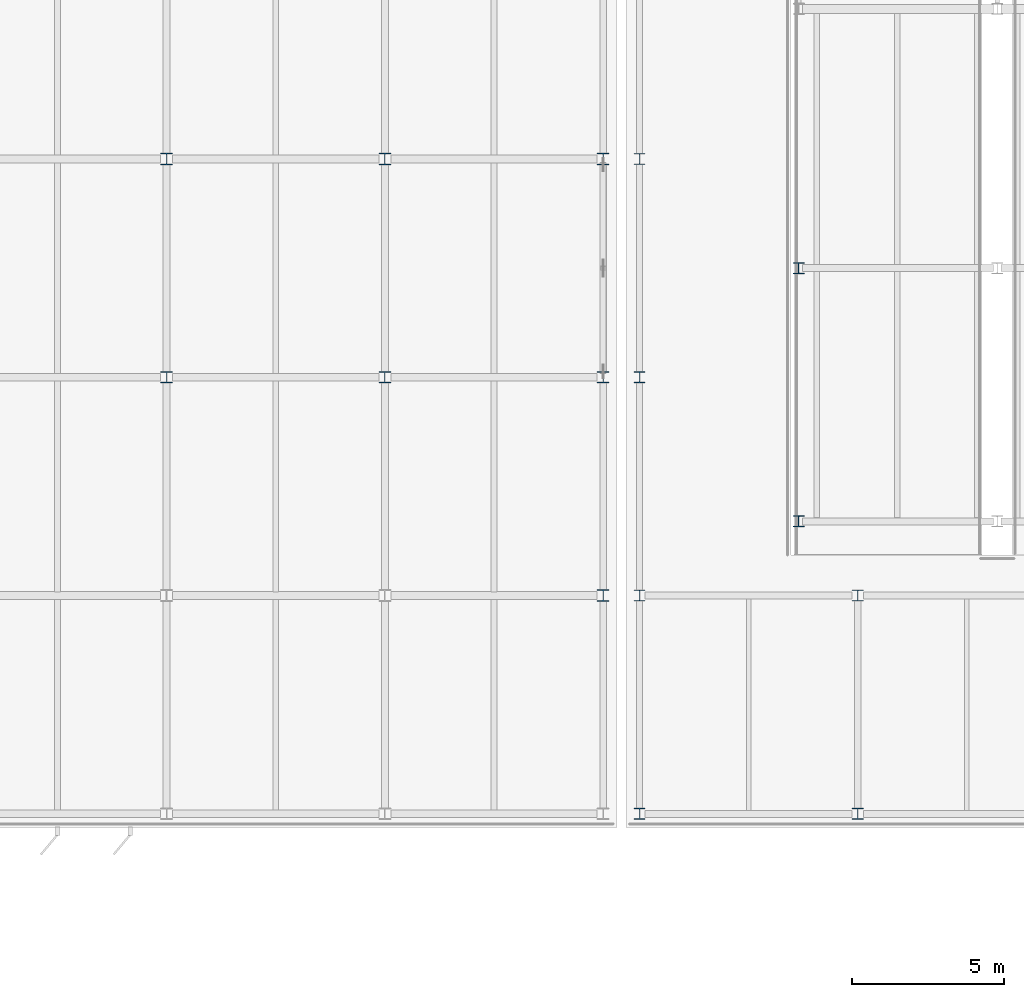
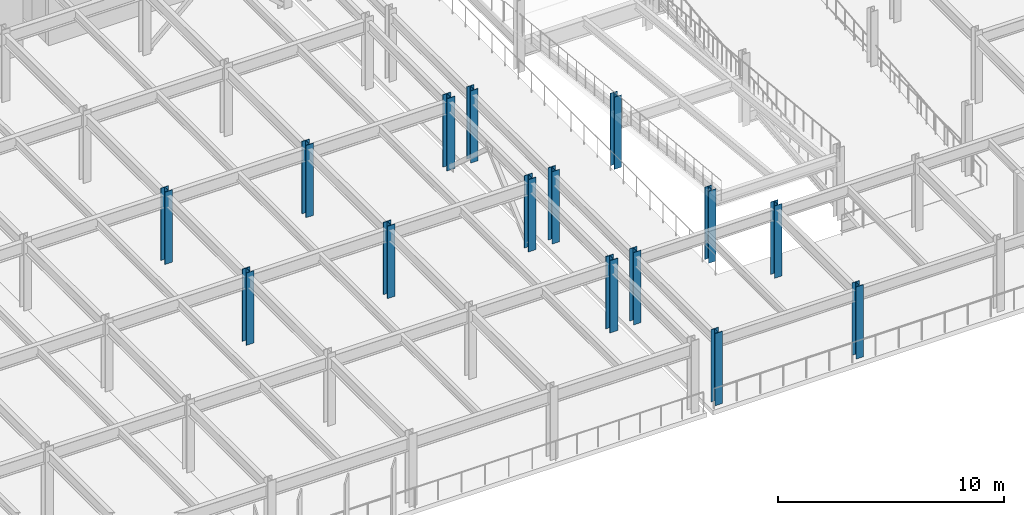
# One storey, part 7 of 93: 15 columns.
"""IFC4 building model written with IfcOpenShell, lengths in metres."""

from ifc_helpers import new_model, si_unit, direction, frame, origin, origin_2d, place, context, subcontext, project, spatial, i_section, extrude, material, material_profile, profile_set, type_object, element, save


model = new_model("IFC4")

# Units and contexts
model_context = context("Model", 3, precision=1e-05, world=origin(), true_north=direction((0.0, 1.0)))
body_context = subcontext(model_context, "Body", "Model", "MODEL_VIEW")
ifc_project = project(units=[si_unit("LENGTHUNIT", "METRE"), si_unit("AREAUNIT", "SQUARE_METRE"), si_unit("VOLUMEUNIT", "CUBIC_METRE"), si_unit("PLANEANGLEUNIT", "RADIAN"), si_unit("MASSUNIT", "GRAM", prefix="KILO")], contexts=[model_context])

# Site, building, storey
site_placement = place(None, origin())
site = spatial("IfcSite", under=ifc_project, at=site_placement, CompositionType="ELEMENT")
building_placement = place(site_placement, origin())
building = spatial("IfcBuilding", under=site, at=building_placement, Name="Vaelcorin Mobility Hub", CompositionType="ELEMENT")
storey_placement = place(building_placement, frame((0.0, 0.0, 5.39990234375)))
storey = spatial("IfcBuildingStorey", under=building, at=storey_placement, Name="L01", CompositionType="ELEMENT", Elevation=5.39990234375)

# Columns
ifc_material = material(Name="Steel ASTM A992 Grade 50", Category="steel")
ifc_material_profile_1 = material_profile(ifc_material, i_section(OverallWidth=0.37109375, OverallDepth=0.363037109375, WebThickness=0.01318359375, FlangeThickness=0.021728515625, FilletRadius=0.014892578125, at=origin_2d()), Name="W14X109")
ifc_profile_set_1 = profile_set([ifc_material_profile_1], Name="Steel ASTM A992 Grade 50")
column_type_1 = type_object("IfcColumnType", Name="COL-W14X109", PredefinedType="COLUMN", material=ifc_profile_set_1)
for number, where, z_axis, x_axis, name in (
    (1, (128.85009765625, 86.449951171875, 0.0), (0.0, 0.0, 1.0), (1.0, 0.0, 0.0), "Column V2E-RDRM-WS L01"),
    (2, (128.85009765625, 94.800048828125, 0.0), (0.0, 0.0, 1.0), (1.0, 0.0, 0.0), "Column V2E-RDRM-WC L01"),
):
    element("IfcColumn", number, at=place(storey_placement, frame(where, z_axis=z_axis, x_axis=x_axis)), inside=storey, type_object=column_type_1, Name=name, PredefinedType="COLUMN", context=body_context, shape_type="SweptSolid", body=[
        extrude(i_section(OverallWidth=0.37109375, OverallDepth=0.363037109375, WebThickness=0.01318359375, FlangeThickness=0.021728515625, FilletRadius=0.014892578125, at=origin_2d()), origin(), (0.0, 0.0, 1.0), 3.900146484375),
    ])
ifc_material_profile_2 = material_profile(ifc_material, i_section(OverallWidth=0.373046875, OverallDepth=0.373046875, WebThickness=0.016357421875, FlangeThickness=0.026123046875, FilletRadius=0.014892578125, at=origin_2d()), Name="W14X132")
ifc_profile_set_2 = profile_set([ifc_material_profile_2], Name="Steel ASTM A992 Grade 50")
column_type_2 = type_object("IfcColumnType", Name="COL-W14X132", PredefinedType="COLUMN", material=ifc_profile_set_2)
for number, where, z_axis, x_axis, name in (
    (3, (123.60009765625, 76.800048828125, 0.0), (0.0, 0.0, 1.0), (1.0, 0.0, 0.0), "Column V2E-G1x1 L01"),
    (4, (123.60009765625, 84.0, 0.0), (0.0, 0.0, 1.0), (1.0, 0.0, 0.0), "Column V2E-G1x2 L01"),
    (5, (123.60009765625, 91.199951171875, 0.0), (0.0, 0.0, 1.0), (1.0, 0.0, 0.0), "Column V2E-G1x3 L01"),
    (6, (123.60009765625, 98.39990234375, 0.0), (0.0, 0.0, 1.0), (1.0, 0.0, 0.0), "Column V2E-G1x4 L01"),
    (7, (130.800048828125, 76.800048828125, 0.0), (0.0, 0.0, 1.0), (1.0, 0.0, 0.0), "Column V2E-G2x1 L01"),
    (8, (130.800048828125, 84.0, 0.0), (0.0, 0.0, 1.0), (1.0, 0.0, 0.0), "Column V2E-G2x2 L01"),
):
    element("IfcColumn", number, at=place(storey_placement, frame(where, z_axis=z_axis, x_axis=x_axis)), inside=storey, type_object=column_type_2, Name=name, PredefinedType="COLUMN", context=body_context, shape_type="SweptSolid", body=[
        extrude(i_section(OverallWidth=0.373046875, OverallDepth=0.373046875, WebThickness=0.016357421875, FlangeThickness=0.026123046875, FilletRadius=0.014892578125, at=origin_2d()), origin(), (0.0, 0.0, 1.0), 3.900146484375),
    ])
ifc_material_profile_3 = material_profile(ifc_material, i_section(OverallWidth=0.39599609375, OverallDepth=0.381103515625, WebThickness=0.018798828125, FlangeThickness=0.0302734375, FilletRadius=0.014892578125, at=origin_2d()), Name="W14X159")
ifc_profile_set_3 = profile_set([ifc_material_profile_3], Name="Steel ASTM A992 Grade 50")
column_type_3 = type_object("IfcColumnType", Name="COL-W14X159", PredefinedType="COLUMN", material=ifc_profile_set_3)
for number, where, z_axis, x_axis, name in (
    (9, (108.0, 91.199951171875, 0.0), (0.0, 0.0, 1.0), (1.0, 0.0, 0.0), "Column V4-X11Y03 L01"),
    (10, (108.0, 98.39990234375, 0.0), (0.0, 0.0, 1.0), (1.0, 0.0, 0.0), "Column V4-X11Y04 L01"),
    (11, (115.199951171875, 91.199951171875, 0.0), (0.0, 0.0, 1.0), (1.0, 0.0, 0.0), "Column V4-X12Y03 L01"),
    (12, (115.199951171875, 98.39990234375, 0.0), (0.0, 0.0, 1.0), (1.0, 0.0, 0.0), "Column V4-X12Y04 L01"),
    (13, (122.39990234375, 91.199951171875, 0.0), (0.0, 0.0, 1.0), (1.0, 0.0, 0.0), "Column V4-X13Y03 L01"),
    (14, (122.39990234375, 98.39990234375, 0.0), (0.0, 0.0, 1.0), (1.0, 0.0, 0.0), "Column V4-X13Y04 L01"),
):
    element("IfcColumn", number, at=place(storey_placement, frame(where, z_axis=z_axis, x_axis=x_axis)), inside=storey, type_object=column_type_3, Name=name, PredefinedType="COLUMN", context=body_context, shape_type="SweptSolid", body=[
        extrude(i_section(OverallWidth=0.39599609375, OverallDepth=0.381103515625, WebThickness=0.018798828125, FlangeThickness=0.0302734375, FilletRadius=0.014892578125, at=origin_2d()), origin(), (0.0, 0.0, 1.0), 3.900146484375),
    ])
ifc_material_profile_4 = material_profile(ifc_material, i_section(OverallWidth=0.39892578125, OverallDepth=0.39404296875, WebThickness=0.022705078125, FlangeThickness=0.03662109375, FilletRadius=0.014892578125, at=origin_2d()), Name="W14X193")
ifc_profile_set_4 = profile_set([ifc_material_profile_4], Name="Steel ASTM A992 Grade 50")
column_type_4 = type_object("IfcColumnType", Name="COL-W14X193", PredefinedType="COLUMN", material=ifc_profile_set_4)
column_placement = place(storey_placement, frame((122.39990234375, 84.0, 0.0), z_axis=(0.0, 0.0, 1.0), x_axis=(1.0, 0.0, 0.0)))
element("IfcColumn", 15, at=column_placement, inside=storey, type_object=column_type_4, Name="Column V4-X13Y02 L01", PredefinedType="COLUMN", context=body_context, shape_type="SweptSolid", body=[
    extrude(i_section(OverallWidth=0.39892578125, OverallDepth=0.39404296875, WebThickness=0.022705078125, FlangeThickness=0.03662109375, FilletRadius=0.014892578125, at=origin_2d()), origin(), (0.0, 0.0, 1.0), 3.900146484375),
])

save(model, "model.ifc")
